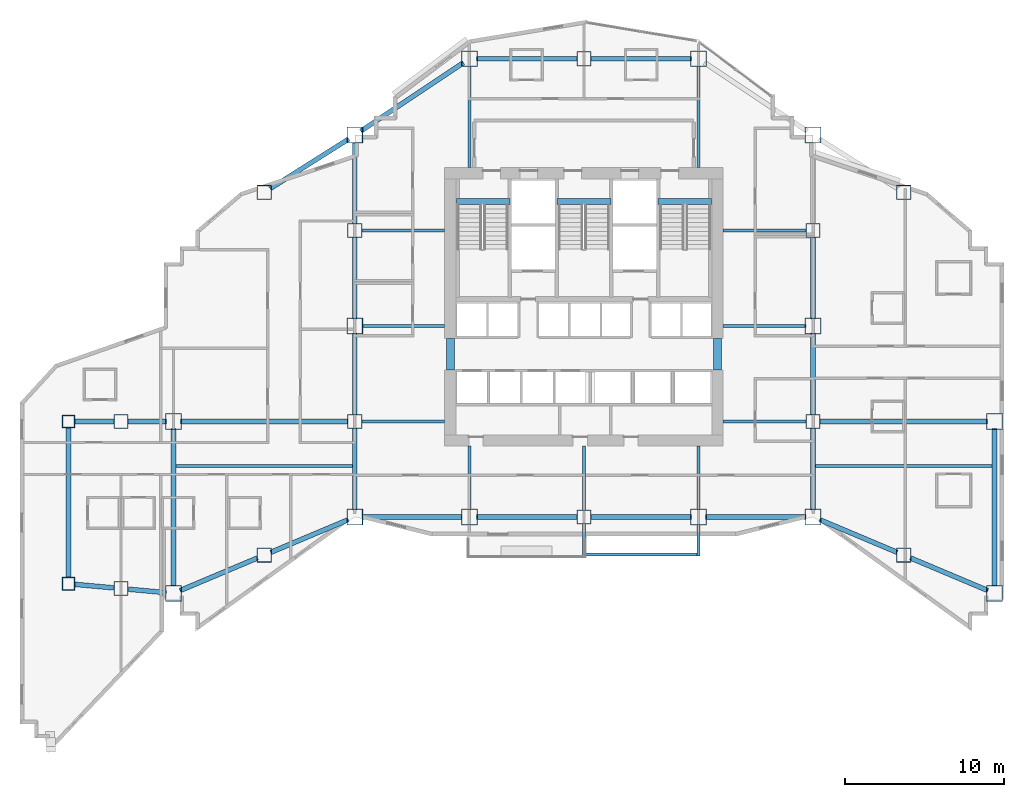
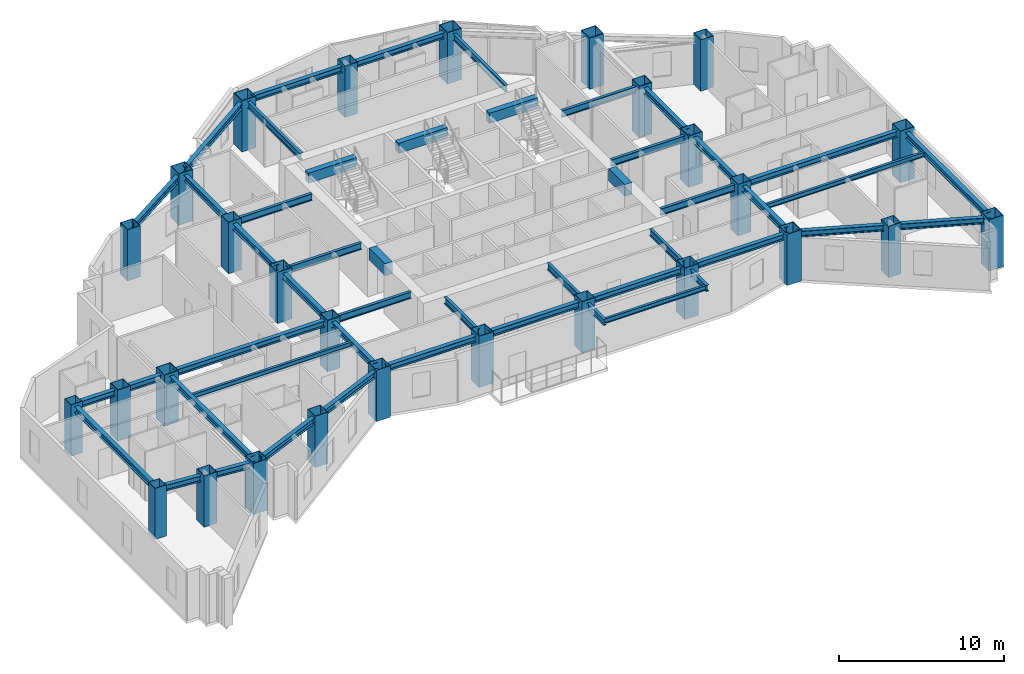
# One storey, part 1 of 13: 49 beams, 28 columns.
"""IFC4 building model written with IfcOpenShell, lengths in metres."""

import ifcopenshell
import ifcopenshell.guid

model = None  # the IFC model being written
_history = None  # IfcOwnerHistory: only IFC2X3 demands one
_inside = {}  # id of a spatial element -> (the spatial element, [elements in it])
_under = {}  # id of a project, library or spatial element -> (it, [spatial elements below it])
_declared = {}  # id of a project -> (the project, [libraries it declares])
_typed = {}  # id of a type object -> (the type object, [elements of that type])
_made_of = {}  # id of a material, layer set ... -> (it, [elements and type objects made of it])


def new_model(schema):
    """Start an empty IFC model of exactly this schema.

    Asked for "IFC4X3", IfcOpenShell would pick the latest addendum, in which some entities
    have other attributes; the version numbers below select the first issue.
    IFC2X3 requires an IfcOwnerHistory on every rooted entity: one is made here for all.
    """
    global model, _history
    if schema == "IFC4X3":
        model = ifcopenshell.file(schema_version=(4, 3, 0, 0))
    else:
        model = ifcopenshell.file(schema=schema)
    _inside.clear()
    _under.clear()
    _declared.clear()
    _typed.clear()
    _made_of.clear()
    _history = None
    if model.schema == "IFC2X3":
        org = make("IfcOrganization", Name="unknown")
        user = make(
            "IfcPersonAndOrganization",
            ThePerson=make("IfcPerson", FamilyName="unknown"),
            TheOrganization=org,
        )
        app = make(
            "IfcApplication",
            ApplicationDeveloper=org,
            Version="unknown",
            ApplicationFullName="unknown",
            ApplicationIdentifier="unknown",
        )
        _history = make(
            "IfcOwnerHistory",
            OwningUser=user,
            OwningApplication=app,
            ChangeAction="ADDED",
            CreationDate=0,
        )
    return model


def make(cls, **values):
    """One entity of the class cls with the attributes given. An attribute that is None is left unset."""
    return model.create_entity(
        cls, **{name: value for name, value in values.items() if value is not None}
    )


def rooted(cls, **values):
    """An entity with a GlobalId (a new one), such as an element, a storey or a relation."""
    return make(cls, GlobalId=ifcopenshell.guid.new(), OwnerHistory=_history, **values)


def si_unit(unit_type, name, prefix=None):
    """IfcSIUnit, for example si_unit("LENGTHUNIT", "METRE", prefix="MILLI")."""
    return make("IfcSIUnit", UnitType=unit_type, Prefix=prefix, Name=name)


def assignment(units):
    """IfcUnitAssignment: the units of a project."""
    return None if units is None else make("IfcUnitAssignment", Units=units)


def point(xyz):
    """IfcCartesianPoint."""
    return None if xyz is None else make("IfcCartesianPoint", Coordinates=xyz)


def direction(xyz):
    """IfcDirection."""
    return None if xyz is None else make("IfcDirection", DirectionRatios=xyz)


def frame(location, z_axis=None, x_axis=None):
    """IfcAxis2Placement3D, a coordinate frame: its origin and axes. An axis left out is left unset."""
    return make(
        "IfcAxis2Placement3D",
        Location=point(location),
        Axis=direction(z_axis),
        RefDirection=direction(x_axis),
    )


def frame_2d(location, x_axis=None):
    """IfcAxis2Placement2D, a coordinate frame in the plane: its origin and x axis."""
    return make(
        "IfcAxis2Placement2D", Location=point(location), RefDirection=direction(x_axis)
    )


def origin():
    """The frame at (0, 0, 0) with its axes left unset."""
    return frame((0.0, 0.0, 0.0))


def origin_2d():
    """The frame at (0, 0) in the plane with its x axis left unset."""
    return frame_2d((0.0, 0.0))


def place(relative_to, where):
    """IfcLocalPlacement: puts the frame where relative to a parent placement (None: the world)."""
    return make(
        "IfcLocalPlacement", PlacementRelTo=relative_to, RelativePlacement=where
    )


def context(
    kind, dimensions, precision=None, world=None, true_north=None, identifier=None
):
    """IfcGeometricRepresentationContext, for example the 3D "Model" context."""
    return make(
        "IfcGeometricRepresentationContext",
        ContextIdentifier=identifier,
        ContextType=kind,
        CoordinateSpaceDimension=dimensions,
        Precision=precision,
        WorldCoordinateSystem=world,
        TrueNorth=true_north,
    )


def subcontext(parent, identifier, kind, view, scale=None):
    """IfcGeometricRepresentationSubContext, for example "Body" below "Model"."""
    return make(
        "IfcGeometricRepresentationSubContext",
        ContextIdentifier=identifier,
        ContextType=kind,
        ParentContext=parent,
        TargetScale=scale,
        TargetView=view,
    )


def project(units=None, contexts=None):
    """IfcProject with its units and contexts."""
    return rooted(
        "IfcProject",
        Name="project",
        RepresentationContexts=contexts,
        UnitsInContext=assignment(units),
    )


def spatial(cls, under=None, at=None, **own):
    """A site, building, storey or space (cls), placed at a placement, below another one or the project."""
    s = rooted(cls, ObjectPlacement=at, **own)
    if under is not None:
        _under.setdefault(under.id(), (under, []))[1].append(s)
    return s


def profile(cls, at=None, kind="AREA", **sizes):
    """A parametric profile (cls). Its sizes go by their IFC names, for example OverallWidth=200.0."""
    return make(cls, ProfileType=kind, Position=at, **sizes)


def rectangle(**sizes):
    """IfcRectangleProfileDef."""
    return profile("IfcRectangleProfileDef", **sizes)


def hollow_rectangle(**sizes):
    """IfcRectangleHollowProfileDef."""
    return profile("IfcRectangleHollowProfileDef", **sizes)


def i_section(**sizes):
    """IfcIShapeProfileDef."""
    return profile("IfcIShapeProfileDef", **sizes)


def extrude(swept, where, along, depth):
    """IfcExtrudedAreaSolid: the profile swept, set in the frame where, extruded along a direction by depth."""
    return make(
        "IfcExtrudedAreaSolid",
        SweptArea=swept,
        Position=where,
        ExtrudedDirection=direction(along),
        Depth=depth,
    )


def shape(context_of_items, identifier, shape_type, items):
    """IfcShapeRepresentation: the items that make up one representation, for example the "Body"."""
    return make(
        "IfcShapeRepresentation",
        ContextOfItems=context_of_items,
        RepresentationIdentifier=identifier,
        RepresentationType=shape_type,
        Items=items,
    )


def material(Name=None, Category=None):
    """IfcMaterial."""
    return make("IfcMaterial", Name=Name, Category=Category)


def material_profile(
    of_material, cross_section, Name=None, Category=None, Priority=None
):
    """IfcMaterialProfile: a cross section and its material."""
    return make(
        "IfcMaterialProfile",
        Name=Name,
        Material=of_material,
        Profile=cross_section,
        Priority=Priority,
        Category=Category,
    )


def profile_set(profiles, Name=None, composite=None):
    """IfcMaterialProfileSet."""
    return make(
        "IfcMaterialProfileSet",
        Name=Name,
        MaterialProfiles=profiles,
        CompositeProfile=composite,
    )


def made_of(thing, what):
    """Note that an element or type object is made of a material, layer set ...; save() writes the relation."""
    if what is not None:
        _made_of.setdefault(what.id(), (what, []))[1].append(thing)
    return thing


def type_object(cls, material=None, **own):
    """A type object (cls), such as IfcWallType, which elements share."""
    return made_of(rooted(cls, **own), material)


def element(
    cls,
    number,
    at=None,
    inside=None,
    cuts=None,
    type_object=None,
    material=None,
    context=None,
    identifier="Body",
    shape_type=None,
    held_by="IfcProductDefinitionShape",
    body=None,
    shapes=None,
    **own,
):
    """One element of the class cls, such as IfcWall. Its Tag is "e" and its number.

    at: its placement. inside: the storey or other place that contains it. cuts: it is an
    opening in that element (IfcRelVoidsElement). A single representation is given by context,
    identifier, shape_type and body (its items); several are given by shapes. held_by: the class
    of the entity that holds the representations. save() writes the other relations.
    """
    e = rooted(cls, Tag="e%d" % number, ObjectPlacement=at, **own)
    if body is not None:
        shapes = [shape(context, identifier, shape_type, body)]
    if shapes is not None:
        e.Representation = make(held_by, Representations=shapes)
    if inside is not None:
        _inside.setdefault(inside.id(), (inside, []))[1].append(e)
    if cuts is not None:
        rooted(
            "IfcRelVoidsElement", RelatingBuildingElement=cuts, RelatedOpeningElement=e
        )
    if type_object is not None:
        _typed.setdefault(type_object.id(), (type_object, []))[1].append(e)
    return made_of(e, material)


def aggregate(whole, parts):
    """IfcRelAggregates: a whole, such as a stair, and the parts it consists of."""
    return rooted("IfcRelAggregates", RelatingObject=whole, RelatedObjects=parts)


def save(model, path):
    """Write the relations noted so far, then the file.

    IfcRelAggregates (storeys below a building ...), IfcRelContainedInSpatialStructure (elements
    in a storey), IfcRelDefinesByType, IfcRelAssociatesMaterial and IfcRelDeclares: one each for
    every whole, place, type object, material and project.
    """
    for whole, parts in _under.values():
        aggregate(whole, parts)
    for where, things in _inside.values():
        rooted(
            "IfcRelContainedInSpatialStructure",
            RelatedElements=things,
            RelatingStructure=where,
        )
    for kind, things in _typed.values():
        rooted("IfcRelDefinesByType", RelatedObjects=things, RelatingType=kind)
    for what, things in _made_of.values():
        rooted("IfcRelAssociatesMaterial", RelatedObjects=things, RelatingMaterial=what)
    for by, libraries in _declared.values():
        rooted("IfcRelDeclares", RelatingContext=by, RelatedDefinitions=libraries)
    model.write(path)


model = new_model("IFC4")

# Units and contexts
model_context = context("Model", 3, precision=1e-05, world=origin(), true_north=direction((0.0, 1.0)))
body_context = subcontext(model_context, "Body", "Model", "MODEL_VIEW")
ifc_project = project(units=[si_unit("LENGTHUNIT", "METRE"), si_unit("AREAUNIT", "SQUARE_METRE"), si_unit("VOLUMEUNIT", "CUBIC_METRE"), si_unit("PLANEANGLEUNIT", "RADIAN"), si_unit("MASSUNIT", "GRAM", prefix="KILO")], contexts=[model_context])

# Site, building, storey
site_placement = place(None, origin())
site = spatial("IfcSite", under=ifc_project, at=site_placement, CompositionType="ELEMENT")
building_placement = place(site_placement, origin())
building = spatial("IfcBuilding", under=site, at=building_placement, Name="Haolan Belvedere Tower", CompositionType="ELEMENT")
storey_placement = place(building_placement, frame((0.0, 0.0, 102.199951171875)))
storey = spatial("IfcBuildingStorey", under=building, at=storey_placement, Name="L25", CompositionType="ELEMENT", Elevation=102.199951171875)

# Columns
ifc_material_1 = material(Name="Steel Q420GJC", Category="steel")
ifc_material_profile_1 = material_profile(ifc_material_1, hollow_rectangle(XDim=1.0, YDim=1.0, WallThickness=0.0380859375, at=origin_2d()), Name="Steel Q420GJC")
ifc_profile_set_1 = profile_set([ifc_material_profile_1], Name="Steel Q420GJC")
column_type_1 = type_object("IfcColumnType", Name="COL-BOX1000x1000x38", PredefinedType="COLUMN", material=ifc_profile_set_1)
for number, where, z_axis, x_axis, name in (
    (1, (24.0, 21.60009765625, 0.0), (0.0, 0.0, 1.0), (1.0, 0.0, 0.0), "L25 column MC-T3-SW (BOX1000x1000x38)"),
    (2, (24.0, 33.60009765625, 0.0), (0.0, 0.0, 1.0), (1.0, 0.0, 0.0), "L25 column MC-T3-MW (BOX1000x1000x38)"),
    (3, (24.0, 45.60009765625, 0.0), (0.0, 0.0, 1.0), (1.0, 0.0, 0.0), "L25 column MC-T3-NW (BOX1000x1000x38)"),
    (4, (52.800048828125, 21.60009765625, 0.0), (0.0, 0.0, 1.0), (1.0, 0.0, 0.0), "L25 column MC-T3-SE (BOX1000x1000x38)"),
    (5, (52.800048828125, 33.60009765625, 0.0), (0.0, 0.0, 1.0), (1.0, 0.0, 0.0), "L25 column MC-T3-ME (BOX1000x1000x38)"),
    (6, (52.800048828125, 45.60009765625, 0.0), (0.0, 0.0, 1.0), (1.0, 0.0, 0.0), "L25 column MC-T3-NE (BOX1000x1000x38)"),
    (7, (31.199951171875, 21.60009765625, 0.0), (0.0, 0.0, 1.0), (1.0, 0.0, 0.0), "L25 column MC-T3-S1 (BOX1000x1000x38)"),
    (8, (45.60009765625, 21.60009765625, 0.0), (0.0, 0.0, 1.0), (1.0, 0.0, 0.0), "L25 column MC-T3-S2 (BOX1000x1000x38)"),
    (9, (31.199951171875, 50.39990234375, 0.0), (0.0, 0.0, 1.0), (1.0, 0.0, 0.0), "L25 column MC-T3-N1 (BOX1000x1000x38)"),
    (10, (45.60009765625, 50.39990234375, 0.0), (0.0, 0.0, 1.0), (1.0, 0.0, 0.0), "L25 column MC-T3-N2 (BOX1000x1000x38)"),
    (11, (12.60009765625, 16.800048828125, 0.0), (0.0, 0.0, 1.0), (1.0, 0.0, 0.0), "L25 column MC-T2-SW (BOX1000x1000x38)"),
    (12, (12.60009765625, 27.60009765625, 0.0), (0.0, 0.0, 1.0), (1.0, 0.0, 0.0), "L25 column MC-T2-MW (BOX1000x1000x38)"),
    (13, (64.199951171875, 16.800048828125, 0.0), (0.0, 0.0, 1.0), (1.0, 0.0, 0.0), "L25 column MC-T4-SE (BOX1000x1000x38)"),
    (14, (64.199951171875, 27.60009765625, 0.0), (0.0, 0.0, 1.0), (1.0, 0.0, 0.0), "L25 column MC-T4-ME (BOX1000x1000x38)"),
):
    element("IfcColumn", number, at=place(storey_placement, frame(where, z_axis=z_axis, x_axis=x_axis)), inside=storey, type_object=column_type_1, Name=name, PredefinedType="COLUMN", context=body_context, shape_type="SweptSolid", body=[
        extrude(hollow_rectangle(XDim=1.0, YDim=1.0, WallThickness=0.0380859375, at=origin_2d()), origin(), (0.0, 0.0, 1.0), 3.800048828125),
    ])
ifc_material_2 = material(Name="Steel Q390GJC", Category="steel")
ifc_material_profile_2 = material_profile(ifc_material_2, hollow_rectangle(XDim=0.800048828125, YDim=0.800048828125, WallThickness=0.030029296875, at=origin_2d()), Name="Steel Q390GJC")
ifc_profile_set_2 = profile_set([ifc_material_profile_2], Name="Steel Q390GJC")
column_type_2 = type_object("IfcColumnType", Name="COL-BOX800x800x30", PredefinedType="COLUMN", material=ifc_profile_set_2)
for number, where, z_axis, x_axis, name in (
    (15, (6.0, 17.39990234375, 0.0), (0.0, 0.0, 1.0), (1.0, 0.0, 0.0), "L25 column MC-T1-SW (BOX800x800x30)"),
    (16, (6.0, 27.60009765625, 0.0), (0.0, 0.0, 1.0), (1.0, 0.0, 0.0), "L25 column MC-T1-NW (BOX800x800x30)"),
):
    element("IfcColumn", number, at=place(storey_placement, frame(where, z_axis=z_axis, x_axis=x_axis)), inside=storey, type_object=column_type_2, Name=name, PredefinedType="COLUMN", context=body_context, shape_type="SweptSolid", body=[
        extrude(hollow_rectangle(XDim=0.800048828125, YDim=0.800048828125, WallThickness=0.030029296875, at=origin_2d()), origin(), (0.0, 0.0, 1.0), 3.800048828125),
    ])
ifc_material_profile_3 = material_profile(ifc_material_2, hollow_rectangle(XDim=0.89990234375, YDim=0.89990234375, WallThickness=0.033935546875, at=origin_2d()), Name="Steel Q390GJC")
ifc_profile_set_3 = profile_set([ifc_material_profile_3], Name="Steel Q390GJC")
column_type_3 = type_object("IfcColumnType", Name="COL-BOX900x900x34", PredefinedType="COLUMN", material=ifc_profile_set_3)
for number, where, z_axis, x_axis, name in (
    (17, (24.0, 27.60009765625, 0.0), (0.0, 0.0, 1.0), (1.0, 0.0, 0.0), "L25 column TC-T3-W1 (BOX900x900x34)"),
    (18, (24.0, 39.60009765625, 0.0), (0.0, 0.0, 1.0), (1.0, 0.0, 0.0), "L25 column TC-T3-W2 (BOX900x900x34)"),
    (19, (52.800048828125, 27.60009765625, 0.0), (0.0, 0.0, 1.0), (1.0, 0.0, 0.0), "L25 column TC-T3-E1 (BOX900x900x34)"),
    (20, (52.800048828125, 39.60009765625, 0.0), (0.0, 0.0, 1.0), (1.0, 0.0, 0.0), "L25 column TC-T3-E2 (BOX900x900x34)"),
    (21, (38.39990234375, 21.60009765625, 0.0), (0.0, 0.0, 1.0), (1.0, 0.0, 0.0), "L25 column TC-T3-SM (BOX900x900x34)"),
    (22, (38.39990234375, 50.39990234375, 0.0), (0.0, 0.0, 1.0), (1.0, 0.0, 0.0), "L25 column TC-T3-NM (BOX900x900x34)"),
    (23, (18.300048828125, 19.199951171875, 0.0), (0.0, 0.0, 1.0), (1.0, 0.0, 0.0), "L25 column TC-T2-S1 (BOX900x900x34)"),
    (24, (18.300048828125, 42.0, 0.0), (0.0, 0.0, 1.0), (1.0, 0.0, 0.0), "L25 column TC-T2-N1 (BOX900x900x34)"),
    (25, (58.5, 19.199951171875, 0.0), (0.0, 0.0, 1.0), (1.0, 0.0, 0.0), "L25 column TC-T4-S1 (BOX900x900x34)"),
    (26, (58.5, 42.0, 0.0), (0.0, 0.0, 1.0), (1.0, 0.0, 0.0), "L25 column TC-T4-N1 (BOX900x900x34)"),
    (27, (9.300048828125, 17.10009765625, 0.0), (0.0, 0.0, 1.0), (1.0, 0.0, 0.0), "L25 column TC-T1-M1 (BOX900x900x34)"),
    (28, (9.300048828125, 27.60009765625, 0.0), (0.0, 0.0, 1.0), (1.0, 0.0, 0.0), "L25 column TC-T1-M2 (BOX900x900x34)"),
):
    element("IfcColumn", number, at=place(storey_placement, frame(where, z_axis=z_axis, x_axis=x_axis)), inside=storey, type_object=column_type_3, Name=name, PredefinedType="COLUMN", context=body_context, shape_type="SweptSolid", body=[
        extrude(hollow_rectangle(XDim=0.89990234375, YDim=0.89990234375, WallThickness=0.033935546875, at=origin_2d()), origin(), (0.0, 0.0, 1.0), 3.800048828125),
    ])

# Beams
ifc_material_3 = material(Name="Steel Q355B", Category="steel")
ifc_material_profile_4 = material_profile(ifc_material_3, i_section(OverallWidth=0.300048828125, OverallDepth=0.43994140625, WebThickness=0.010986328125, FlangeThickness=0.01806640625, FilletRadius=0.02392578125, at=origin_2d()), Name="Steel Q355B")
ifc_profile_set_4 = profile_set([ifc_material_profile_4], Name="Steel Q355B")
beam_type_1 = type_object("IfcBeamType", Name="BM-HM440x300x11x18", PredefinedType="SPANDREL", material=ifc_profile_set_4)
for number, where, z_axis, x_axis, name in (
    (29, (24.0, 22.050048828125, 3.380126953125), (0.0, 1.0, 0.0), (-1.0, 0.0, 0.0), "L25 spandrel girder MC-T3-SW-TC-T3-W1"),
    (30, (24.0, 28.050048828125, 3.380126953125), (0.0, 1.0, 0.0), (-1.0, 0.0, 0.0), "L25 spandrel girder TC-T3-W1-MC-T3-MW"),
    (31, (24.0, 34.050048828125, 3.380126953125), (0.0, 1.0, 0.0), (-1.0, 0.0, 0.0), "L25 spandrel girder MC-T3-MW-TC-T3-W2"),
    (32, (24.0, 40.050048828125, 3.380126953125), (0.0, 1.0, 0.0), (-1.0, 0.0, 0.0), "L25 spandrel girder TC-T3-W2-MC-T3-NW"),
    (33, (52.800048828125, 22.050048828125, 3.380126953125), (0.0, 1.0, 0.0), (-1.0, 0.0, 0.0), "L25 spandrel girder MC-T3-SE-TC-T3-E1"),
    (34, (52.800048828125, 28.050048828125, 3.380126953125), (0.0, 1.0, 0.0), (-1.0, 0.0, 0.0), "L25 spandrel girder TC-T3-E1-MC-T3-ME"),
    (35, (52.800048828125, 34.050048828125, 3.380126953125), (0.0, 1.0, 0.0), (-1.0, 0.0, 0.0), "L25 spandrel girder MC-T3-ME-TC-T3-E2"),
):
    element("IfcBeam", number, at=place(storey_placement, frame(where, z_axis=z_axis, x_axis=x_axis)), inside=storey, type_object=beam_type_1, Name=name, PredefinedType="SPANDREL", context=body_context, shape_type="SweptSolid", body=[
        extrude(i_section(OverallWidth=0.300048828125, OverallDepth=0.43994140625, WebThickness=0.010986328125, FlangeThickness=0.01806640625, FilletRadius=0.02392578125, at=origin_2d()), origin(), (0.0, 0.0, 1.0), 5.099853515625),
    ])
for number, where, z_axis, x_axis, name in (
    (36, (24.449951171875, 21.60009765625, 3.380126953125), (1.0, 0.0, 0.0), (0.0, 1.0, 0.0), "L25 spandrel girder MC-T3-SW-MC-T3-S1"),
    (37, (31.64990234375, 21.60009765625, 3.380126953125), (1.0, 0.0, 0.0), (0.0, 1.0, 0.0), "L25 spandrel girder MC-T3-S1-TC-T3-SM"),
):
    element("IfcBeam", number, at=place(storey_placement, frame(where, z_axis=z_axis, x_axis=x_axis)), inside=storey, type_object=beam_type_1, Name=name, PredefinedType="SPANDREL", context=body_context, shape_type="SweptSolid", body=[
        extrude(i_section(OverallWidth=0.300048828125, OverallDepth=0.43994140625, WebThickness=0.010986328125, FlangeThickness=0.01806640625, FilletRadius=0.02392578125, at=origin_2d()), origin(), (0.0, 0.0, 1.0), 6.300048828125),
    ])
beam_1_placement = place(storey_placement, frame((38.85009765625, 21.60009765625, 3.380126953125), z_axis=(1.0, 0.0, 0.0), x_axis=(0.0, 1.0, 0.0)))
element("IfcBeam", 38, at=beam_1_placement, inside=storey, type_object=beam_type_1, Name="L25 spandrel girder TC-T3-SM-MC-T3-S2", PredefinedType="SPANDREL", context=body_context, shape_type="SweptSolid", body=[
    extrude(i_section(OverallWidth=0.300048828125, OverallDepth=0.43994140625, WebThickness=0.010986328125, FlangeThickness=0.01806640625, FilletRadius=0.02392578125, at=origin_2d()), origin(), (0.0, 0.0, 1.0), 6.2998046875),
])
beam_2_placement = place(storey_placement, frame((46.050048828125, 21.60009765625, 3.380126953125), z_axis=(1.0, 0.0, 0.0), x_axis=(0.0, 1.0, 0.0)))
element("IfcBeam", 39, at=beam_2_placement, inside=storey, type_object=beam_type_1, Name="L25 spandrel girder MC-T3-S2-MC-T3-SE", PredefinedType="SPANDREL", context=body_context, shape_type="SweptSolid", body=[
    extrude(i_section(OverallWidth=0.300048828125, OverallDepth=0.43994140625, WebThickness=0.010986328125, FlangeThickness=0.01806640625, FilletRadius=0.02392578125, at=origin_2d()), origin(), (0.0, 0.0, 1.0), 6.300048828125),
])
beam_3_placement = place(storey_placement, frame((24.37451171875, 45.849609375, 3.380126953125), z_axis=(0.832050294338, 0.554700196225, 0.0), x_axis=(-0.554700196225, 0.832050294338, 0.0)))
element("IfcBeam", 40, at=beam_3_placement, inside=storey, type_object=beam_type_1, Name="L25 spandrel girder MC-T3-NW-MC-T3-N1", PredefinedType="SPANDREL", context=body_context, shape_type="SweptSolid", body=[
    extrude(i_section(OverallWidth=0.300048828125, OverallDepth=0.43994140625, WebThickness=0.010986328125, FlangeThickness=0.01806640625, FilletRadius=0.02392578125, at=origin_2d()), origin(), (0.0, 0.0, 1.0), 7.75341796875),
])
beam_4_placement = place(storey_placement, frame((31.64990234375, 50.39990234375, 3.380126953125), z_axis=(1.0, 0.0, 0.0), x_axis=(0.0, 1.0, 0.0)))
element("IfcBeam", 41, at=beam_4_placement, inside=storey, type_object=beam_type_1, Name="L25 spandrel girder MC-T3-N1-TC-T3-NM", PredefinedType="SPANDREL", context=body_context, shape_type="SweptSolid", body=[
    extrude(i_section(OverallWidth=0.300048828125, OverallDepth=0.43994140625, WebThickness=0.010986328125, FlangeThickness=0.01806640625, FilletRadius=0.02392578125, at=origin_2d()), origin(), (0.0, 0.0, 1.0), 6.300048828125),
])
beam_5_placement = place(storey_placement, frame((38.85009765625, 50.39990234375, 3.380126953125), z_axis=(1.0, 0.0, 0.0), x_axis=(0.0, 1.0, 0.0)))
element("IfcBeam", 42, at=beam_5_placement, inside=storey, type_object=beam_type_1, Name="L25 spandrel girder TC-T3-NM-MC-T3-N2", PredefinedType="SPANDREL", context=body_context, shape_type="SweptSolid", body=[
    extrude(i_section(OverallWidth=0.300048828125, OverallDepth=0.43994140625, WebThickness=0.010986328125, FlangeThickness=0.01806640625, FilletRadius=0.02392578125, at=origin_2d()), origin(), (0.0, 0.0, 1.0), 6.2998046875),
])
beam_6_placement = place(storey_placement, frame((12.60009765625, 17.25, 3.380126953125), z_axis=(0.0, 1.0, 0.0), x_axis=(-1.0, 0.0, 0.0)))
element("IfcBeam", 43, at=beam_6_placement, inside=storey, type_object=beam_type_1, Name="L25 spandrel girder MC-T2-SW-MC-T2-MW", PredefinedType="SPANDREL", context=body_context, shape_type="SweptSolid", body=[
    extrude(i_section(OverallWidth=0.300048828125, OverallDepth=0.43994140625, WebThickness=0.010986328125, FlangeThickness=0.01806640625, FilletRadius=0.02392578125, at=origin_2d()), origin(), (0.0, 0.0, 1.0), 9.89990234375),
])
beam_7_placement = place(storey_placement, frame((13.0146484375, 16.974609375, 3.380126953125), z_axis=(0.921635375138, 0.388057000058, 0.0), x_axis=(-0.388057000058, 0.921635375138, 0.0)))
element("IfcBeam", 44, at=beam_7_placement, inside=storey, type_object=beam_type_1, Name="L25 spandrel girder MC-T2-SW-TC-T2-S1", PredefinedType="SPANDREL", context=body_context, shape_type="SweptSolid", body=[
    extrude(i_section(OverallWidth=0.300048828125, OverallDepth=0.43994140625, WebThickness=0.010986328125, FlangeThickness=0.01806640625, FilletRadius=0.02392578125, at=origin_2d()), origin(), (0.0, 0.0, 1.0), 5.28466796875),
])
beam_8_placement = place(storey_placement, frame((18.71484375, 19.37451171875, 3.380126953125), z_axis=(0.92162841793, 0.388073523014, 0.0), x_axis=(-0.388073523014, 0.92162841793, 0.0)))
element("IfcBeam", 45, at=beam_8_placement, inside=storey, type_object=beam_type_1, Name="L25 spandrel girder TC-T2-S1-MC-T3-SW", PredefinedType="SPANDREL", context=body_context, shape_type="SweptSolid", body=[
    extrude(i_section(OverallWidth=0.300048828125, OverallDepth=0.43994140625, WebThickness=0.010986328125, FlangeThickness=0.01806640625, FilletRadius=0.02392578125, at=origin_2d()), origin(), (0.0, 0.0, 1.0), 5.284423828125),
])
beam_9_placement = place(storey_placement, frame((18.680419921875, 42.240234375, 3.380126953125), z_axis=(0.845497840649, 0.533978839898, 0.0), x_axis=(-0.533978839898, 0.845497840649, 0.0)))
element("IfcBeam", 46, at=beam_9_placement, inside=storey, type_object=beam_type_1, Name="L25 spandrel girder TC-T2-N1-MC-T3-NW", PredefinedType="SPANDREL", context=body_context, shape_type="SweptSolid", body=[
    extrude(i_section(OverallWidth=0.300048828125, OverallDepth=0.43994140625, WebThickness=0.010986328125, FlangeThickness=0.01806640625, FilletRadius=0.02392578125, at=origin_2d()), origin(), (0.0, 0.0, 1.0), 5.841796875),
])
beam_10_placement = place(storey_placement, frame((13.050048828125, 27.60009765625, 3.380126953125), z_axis=(1.0, 0.0, 0.0), x_axis=(0.0, 1.0, 0.0)))
element("IfcBeam", 47, at=beam_10_placement, inside=storey, type_object=beam_type_1, Name="L25 spandrel girder MC-T2-MW-TC-T3-W1", PredefinedType="SPANDREL", context=body_context, shape_type="SweptSolid", body=[
    extrude(i_section(OverallWidth=0.300048828125, OverallDepth=0.43994140625, WebThickness=0.010986328125, FlangeThickness=0.01806640625, FilletRadius=0.02392578125, at=origin_2d()), origin(), (0.0, 0.0, 1.0), 10.5),
])
beam_11_placement = place(storey_placement, frame((64.199951171875, 17.25, 3.380126953125), z_axis=(0.0, 1.0, 0.0), x_axis=(-1.0, 0.0, 0.0)))
element("IfcBeam", 48, at=beam_11_placement, inside=storey, type_object=beam_type_1, Name="L25 spandrel girder MC-T4-SE-MC-T4-ME", PredefinedType="SPANDREL", context=body_context, shape_type="SweptSolid", body=[
    extrude(i_section(OverallWidth=0.300048828125, OverallDepth=0.43994140625, WebThickness=0.010986328125, FlangeThickness=0.01806640625, FilletRadius=0.02392578125, at=origin_2d()), origin(), (0.0, 0.0, 1.0), 9.89990234375),
])
for number, where, z_axis, x_axis, name in (
    (49, (53.21484375, 21.42529296875, 3.380126953125), (0.92162841793, -0.388073523014, 0.0), (0.388073523014, 0.92162841793, 0.0), "L25 spandrel girder MC-T3-SE-TC-T4-S1"),
    (50, (58.914794921875, 19.025390625, 3.380126953125), (0.92162841793, -0.388073523014, 0.0), (0.388073523014, 0.92162841793, 0.0), "L25 spandrel girder TC-T4-S1-MC-T4-SE"),
):
    element("IfcBeam", number, at=place(storey_placement, frame(where, z_axis=z_axis, x_axis=x_axis)), inside=storey, type_object=beam_type_1, Name=name, PredefinedType="SPANDREL", context=body_context, shape_type="SweptSolid", body=[
        extrude(i_section(OverallWidth=0.300048828125, OverallDepth=0.43994140625, WebThickness=0.010986328125, FlangeThickness=0.01806640625, FilletRadius=0.02392578125, at=origin_2d()), origin(), (0.0, 0.0, 1.0), 5.284423828125),
    ])
beam_12_placement = place(storey_placement, frame((53.25, 27.60009765625, 3.380126953125), z_axis=(1.0, 0.0, 0.0), x_axis=(0.0, 1.0, 0.0)))
element("IfcBeam", 51, at=beam_12_placement, inside=storey, type_object=beam_type_1, Name="L25 spandrel girder TC-T3-E1-MC-T4-ME", PredefinedType="SPANDREL", context=body_context, shape_type="SweptSolid", body=[
    extrude(i_section(OverallWidth=0.300048828125, OverallDepth=0.43994140625, WebThickness=0.010986328125, FlangeThickness=0.01806640625, FilletRadius=0.02392578125, at=origin_2d()), origin(), (0.0, 0.0, 1.0), 10.5),
])
beam_13_placement = place(storey_placement, frame((6.0, 17.800048828125, 3.380126953125), z_axis=(0.0, 1.0, 0.0), x_axis=(-1.0, 0.0, 0.0)))
element("IfcBeam", 52, at=beam_13_placement, inside=storey, type_object=beam_type_1, Name="L25 spandrel girder MC-T1-SW-MC-T1-NW", PredefinedType="SPANDREL", context=body_context, shape_type="SweptSolid", body=[
    extrude(i_section(OverallWidth=0.300048828125, OverallDepth=0.43994140625, WebThickness=0.010986328125, FlangeThickness=0.01806640625, FilletRadius=0.02392578125, at=origin_2d()), origin(), (0.0, 0.0, 1.0), 9.39990234375),
])
beam_14_placement = place(storey_placement, frame((6.3984375, 17.36376953125, 3.380126953125), z_axis=(0.995889143855, -0.090580423672, 0.0), x_axis=(0.090580423672, 0.995889143855, 0.0)))
element("IfcBeam", 53, at=beam_14_placement, inside=storey, type_object=beam_type_1, Name="L25 spandrel girder MC-T1-SW-TC-T1-M1", PredefinedType="SPANDREL", context=body_context, shape_type="SweptSolid", body=[
    extrude(i_section(OverallWidth=0.300048828125, OverallDepth=0.43994140625, WebThickness=0.010986328125, FlangeThickness=0.01806640625, FilletRadius=0.02392578125, at=origin_2d()), origin(), (0.0, 0.0, 1.0), 2.46337890625),
])
beam_15_placement = place(storey_placement, frame((9.748046875, 17.059326171875, 3.380126953125), z_axis=(0.9958940355, -0.090526626221, 0.0), x_axis=(0.090526626221, 0.9958940355, 0.0)))
element("IfcBeam", 54, at=beam_15_placement, inside=storey, type_object=beam_type_1, Name="L25 spandrel girder TC-T1-M1-MC-T2-SW", PredefinedType="SPANDREL", context=body_context, shape_type="SweptSolid", body=[
    extrude(i_section(OverallWidth=0.300048828125, OverallDepth=0.43994140625, WebThickness=0.010986328125, FlangeThickness=0.01806640625, FilletRadius=0.02392578125, at=origin_2d()), origin(), (0.0, 0.0, 1.0), 2.413818359375),
])
beam_16_placement = place(storey_placement, frame((6.39990234375, 27.60009765625, 3.380126953125), z_axis=(1.0, 0.0, 0.0), x_axis=(0.0, 1.0, 0.0)))
element("IfcBeam", 55, at=beam_16_placement, inside=storey, type_object=beam_type_1, Name="L25 spandrel girder MC-T1-NW-TC-T1-M2", PredefinedType="SPANDREL", context=body_context, shape_type="SweptSolid", body=[
    extrude(i_section(OverallWidth=0.300048828125, OverallDepth=0.43994140625, WebThickness=0.010986328125, FlangeThickness=0.01806640625, FilletRadius=0.02392578125, at=origin_2d()), origin(), (0.0, 0.0, 1.0), 2.4501953125),
])
beam_17_placement = place(storey_placement, frame((9.75, 27.60009765625, 3.380126953125), z_axis=(1.0, 0.0, 0.0), x_axis=(0.0, 1.0, 0.0)))
element("IfcBeam", 56, at=beam_17_placement, inside=storey, type_object=beam_type_1, Name="L25 spandrel girder TC-T1-M2-MC-T2-MW", PredefinedType="SPANDREL", context=body_context, shape_type="SweptSolid", body=[
    extrude(i_section(OverallWidth=0.300048828125, OverallDepth=0.43994140625, WebThickness=0.010986328125, FlangeThickness=0.01806640625, FilletRadius=0.02392578125, at=origin_2d()), origin(), (0.0, 0.0, 1.0), 2.39990234375),
])
ifc_material_profile_5 = material_profile(ifc_material_3, i_section(OverallWidth=0.175048828125, OverallDepth=0.35009765625, WebThickness=0.007080078125, FlangeThickness=0.010986328125, FilletRadius=0.012939453125, at=origin_2d()), Name="Steel Q355B")
ifc_profile_set_5 = profile_set([ifc_material_profile_5], Name="Steel Q355B")
beam_type_2 = type_object("IfcBeamType", Name="BM-HN350x175x7x11", PredefinedType="JOIST", material=ifc_profile_set_5)
for number, where, z_axis, x_axis, name in (
    (57, (12.75, 24.800048828125, 3.425048828125), (1.0, 0.0, 0.0), (0.0, 1.0, 0.0), "L25 west wing floor joist 1"),
    (58, (52.949951171875, 24.800048828125, 3.425048828125), (1.0, 0.0, 0.0), (0.0, 1.0, 0.0), "L25 east wing floor joist 1"),
):
    element("IfcBeam", number, at=place(storey_placement, frame(where, z_axis=z_axis, x_axis=x_axis)), inside=storey, type_object=beam_type_2, Name=name, PredefinedType="JOIST", context=body_context, shape_type="SweptSolid", body=[
        extrude(i_section(OverallWidth=0.175048828125, OverallDepth=0.35009765625, WebThickness=0.007080078125, FlangeThickness=0.010986328125, FilletRadius=0.012939453125, at=origin_2d()), origin(), (0.0, 0.0, 1.0), 11.10009765625),
    ])
beam_18_placement = place(storey_placement, frame((38.5, 19.239990234375, 3.39501953125), z_axis=(1.0, 0.0, 0.0), x_axis=(0.0, 1.0, 0.0)))
element("IfcBeam", 59, at=beam_18_placement, inside=storey, type_object=beam_type_2, Name="L26 tree-balcony front trimmer beam 1", PredefinedType="BEAM", context=body_context, shape_type="SweptSolid", body=[
    extrude(i_section(OverallWidth=0.175048828125, OverallDepth=0.35009765625, WebThickness=0.007080078125, FlangeThickness=0.010986328125, FilletRadius=0.012939453125, at=origin_2d()), origin(), (0.0, 0.0, 1.0), 7.0),
])
ifc_material_profile_6 = material_profile(ifc_material_3, i_section(OverallWidth=0.199951171875, OverallDepth=0.449951171875, WebThickness=0.009033203125, FlangeThickness=0.013916015625, FilletRadius=0.01611328125, at=origin_2d()), Name="Steel Q355B")
ifc_profile_set_6 = profile_set([ifc_material_profile_6], Name="Steel Q355B")
beam_type_3 = type_object("IfcBeamType", Name="BM-HN450x200x9x14", PredefinedType="BEAM", material=ifc_profile_set_6)
beam_19_placement = place(storey_placement, frame((38.39990234375, 21.14990234375, 3.344970703125), z_axis=(0.0, -1.0, 0.0), x_axis=(1.0, 0.0, 0.0)))
element("IfcBeam", 60, at=beam_19_placement, inside=storey, type_object=beam_type_3, Name="L26 tree-balcony column cantilever TC-T3-SM", PredefinedType="BEAM", context=body_context, shape_type="SweptSolid", body=[
    extrude(i_section(OverallWidth=0.199951171875, OverallDepth=0.449951171875, WebThickness=0.009033203125, FlangeThickness=0.013916015625, FilletRadius=0.01611328125, at=origin_2d()), origin(), (0.0, 0.0, 1.0), 2.010009765625),
])
beam_20_placement = place(storey_placement, frame((45.60009765625, 21.10009765625, 3.344970703125), z_axis=(0.0, -1.0, 0.0), x_axis=(1.0, 0.0, 0.0)))
element("IfcBeam", 61, at=beam_20_placement, inside=storey, type_object=beam_type_3, Name="L26 tree-balcony column cantilever MC-T3-S2", PredefinedType="BEAM", context=body_context, shape_type="SweptSolid", body=[
    extrude(i_section(OverallWidth=0.199951171875, OverallDepth=0.449951171875, WebThickness=0.009033203125, FlangeThickness=0.013916015625, FilletRadius=0.01611328125, at=origin_2d()), origin(), (0.0, 0.0, 1.0), 1.960205078125),
])
ifc_material_profile_7 = material_profile(ifc_material_3, i_section(OverallWidth=0.199951171875, OverallDepth=0.5, WebThickness=0.010009765625, FlangeThickness=0.01611328125, FilletRadius=0.02001953125, at=origin_2d()), Name="Steel Q355B")
ifc_profile_set_7 = profile_set([ifc_material_profile_7], Name="Steel Q355B")
beam_type_4 = type_object("IfcBeamType", Name="BM-HN500x200x10x16", PredefinedType="BEAM", material=ifc_profile_set_7)
for number, where, z_axis, x_axis, name in (
    (62, (24.449951171875, 33.60009765625, 3.35009765625), (1.0, 0.0, 0.0), (0.0, 1.0, 0.0), "L25 core tie beam from MC-T3-MW"),
    (63, (24.449951171875, 27.60009765625, 3.35009765625), (1.0, 0.0, 0.0), (0.0, 1.0, 0.0), "L25 core tie beam from TC-T3-W1"),
    (64, (24.449951171875, 39.60009765625, 3.35009765625), (1.0, 0.0, 0.0), (0.0, 1.0, 0.0), "L25 core tie beam from TC-T3-W2"),
):
    element("IfcBeam", number, at=place(storey_placement, frame(where, z_axis=z_axis, x_axis=x_axis)), inside=storey, type_object=beam_type_4, Name=name, PredefinedType="BEAM", context=body_context, shape_type="SweptSolid", body=[
        extrude(i_section(OverallWidth=0.199951171875, OverallDepth=0.5, WebThickness=0.010009765625, FlangeThickness=0.01611328125, FilletRadius=0.02001953125, at=origin_2d()), origin(), (0.0, 0.0, 1.0), 5.199951171875),
    ])
for number, where, z_axis, x_axis, name in (
    (65, (52.35009765625, 33.60009765625, 3.35009765625), (-1.0, 0.0, 0.0), (0.0, -1.0, 0.0), "L25 core tie beam from MC-T3-ME"),
    (66, (52.35009765625, 27.60009765625, 3.35009765625), (-1.0, 0.0, 0.0), (0.0, -1.0, 0.0), "L25 core tie beam from TC-T3-E1"),
    (67, (52.35009765625, 39.60009765625, 3.35009765625), (-1.0, 0.0, 0.0), (0.0, -1.0, 0.0), "L25 core tie beam from TC-T3-E2"),
):
    element("IfcBeam", number, at=place(storey_placement, frame(where, z_axis=z_axis, x_axis=x_axis)), inside=storey, type_object=beam_type_4, Name=name, PredefinedType="BEAM", context=body_context, shape_type="SweptSolid", body=[
        extrude(i_section(OverallWidth=0.199951171875, OverallDepth=0.5, WebThickness=0.010009765625, FlangeThickness=0.01611328125, FilletRadius=0.02001953125, at=origin_2d()), origin(), (0.0, 0.0, 1.0), 5.2001953125),
    ])
for number, where, z_axis, x_axis, name in (
    (68, (31.199951171875, 22.050048828125, 3.35009765625), (0.0, 1.0, 0.0), (-1.0, 0.0, 0.0), "L25 core tie beam from MC-T3-S1"),
    (69, (38.39990234375, 22.050048828125, 3.35009765625), (0.0, 1.0, 0.0), (-1.0, 0.0, 0.0), "L25 core tie beam from TC-T3-SM"),
    (70, (45.60009765625, 22.050048828125, 3.35009765625), (0.0, 1.0, 0.0), (-1.0, 0.0, 0.0), "L25 core tie beam from MC-T3-S2"),
):
    element("IfcBeam", number, at=place(storey_placement, frame(where, z_axis=z_axis, x_axis=x_axis)), inside=storey, type_object=beam_type_4, Name=name, PredefinedType="BEAM", context=body_context, shape_type="SweptSolid", body=[
        extrude(i_section(OverallWidth=0.199951171875, OverallDepth=0.5, WebThickness=0.010009765625, FlangeThickness=0.01611328125, FilletRadius=0.02001953125, at=origin_2d()), origin(), (0.0, 0.0, 1.0), 4.0),
    ])
for number, where, z_axis, x_axis, name in (
    (71, (31.199951171875, 49.949951171875, 3.35009765625), (0.0, -1.0, 0.0), (1.0, 0.0, 0.0), "L25 core tie beam from MC-T3-N1"),
    (72, (45.60009765625, 49.949951171875, 3.35009765625), (0.0, -1.0, 0.0), (1.0, 0.0, 0.0), "L25 core tie beam from MC-T3-N2"),
):
    element("IfcBeam", number, at=place(storey_placement, frame(where, z_axis=z_axis, x_axis=x_axis)), inside=storey, type_object=beam_type_4, Name=name, PredefinedType="BEAM", context=body_context, shape_type="SweptSolid", body=[
        extrude(i_section(OverallWidth=0.199951171875, OverallDepth=0.5, WebThickness=0.010009765625, FlangeThickness=0.01611328125, FilletRadius=0.02001953125, at=origin_2d()), origin(), (0.0, 0.0, 1.0), 6.39990234375),
    ])
ifc_material_4 = material(Name="Concrete C50/60", Category="concrete")
ifc_material_profile_8 = material_profile(ifc_material_4, rectangle(XDim=0.39990234375, YDim=0.75, at=origin_2d()), Name="Concrete C50/60")
ifc_profile_set_8 = profile_set([ifc_material_profile_8], Name="Concrete C50/60")
beam_type_5 = type_object("IfcBeamType", Name="BM-RC400x750", PredefinedType="T_BEAM", material=ifc_profile_set_8)
beam_21_placement = place(storey_placement, frame((30.3798828125, 41.429931640625, 3.425048828125), z_axis=(1.0, 0.0, 0.0), x_axis=(0.0, 1.0, 0.0)))
element("IfcBeam", 73, at=beam_21_placement, inside=storey, type_object=beam_type_5, Name="L26 stair ST1 RC header trimmer beam", PredefinedType="BEAM", context=body_context, shape_type="SweptSolid", body=[
    extrude(rectangle(XDim=0.39990234375, YDim=0.75, at=origin_2d()), origin(), (0.0, 0.0, 1.0), 3.360107421875),
])
beam_22_placement = place(storey_placement, frame((36.699951171875, 41.429931640625, 3.425048828125), z_axis=(1.0, 0.0, 0.0), x_axis=(0.0, 1.0, 0.0)))
element("IfcBeam", 74, at=beam_22_placement, inside=storey, type_object=beam_type_5, Name="L26 stair ST3 RC header trimmer beam", PredefinedType="BEAM", context=body_context, shape_type="SweptSolid", body=[
    extrude(rectangle(XDim=0.39990234375, YDim=0.75, at=origin_2d()), origin(), (0.0, 0.0, 1.0), 3.400146484375),
])
beam_23_placement = place(storey_placement, frame((43.06005859375, 41.429931640625, 3.425048828125), z_axis=(1.0, 0.0, 0.0), x_axis=(0.0, 1.0, 0.0)))
element("IfcBeam", 75, at=beam_23_placement, inside=storey, type_object=beam_type_5, Name="L26 stair ST2 RC header trimmer beam", PredefinedType="BEAM", context=body_context, shape_type="SweptSolid", body=[
    extrude(rectangle(XDim=0.39990234375, YDim=0.75, at=origin_2d()), origin(), (0.0, 0.0, 1.0), 3.35986328125),
])
ifc_material_5 = material(Name="Concrete C60/75", Category="concrete")
ifc_material_profile_9 = material_profile(ifc_material_5, rectangle(XDim=0.5, YDim=0.89990234375, at=origin_2d()), Name="Concrete C60/75")
ifc_profile_set_9 = profile_set([ifc_material_profile_9], Name="Concrete C60/75")
beam_type_6 = type_object("IfcBeamType", Name="BM-RC500x900", PredefinedType="LINTEL", material=ifc_profile_set_9)
for number, where, z_axis, x_axis, name in (
    (76, (30.0, 30.85009765625, 3.150146484375), (0.0, 1.0, 0.0), (-1.0, 0.0, 0.0), "L25 west core coupling beam CB-01"),
    (77, (46.800048828125, 30.85009765625, 3.150146484375), (0.0, 1.0, 0.0), (-1.0, 0.0, 0.0), "L25 east core coupling beam CB-01"),
):
    element("IfcBeam", number, at=place(storey_placement, frame(where, z_axis=z_axis, x_axis=x_axis)), inside=storey, type_object=beam_type_6, Name=name, PredefinedType="LINTEL", context=body_context, shape_type="SweptSolid", body=[
        extrude(rectangle(XDim=0.5, YDim=0.89990234375, at=origin_2d()), origin(), (0.0, 0.0, 1.0), 1.949951171875),
    ])

save(model, "model.ifc")
